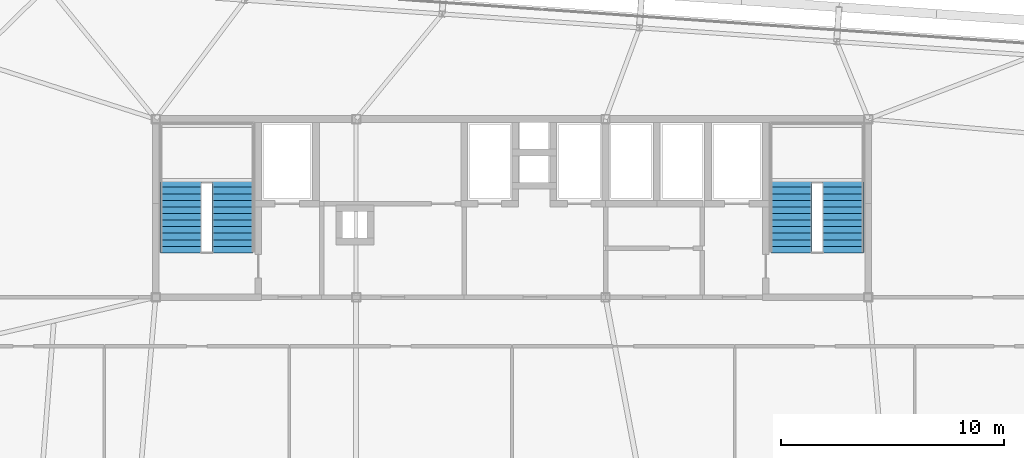
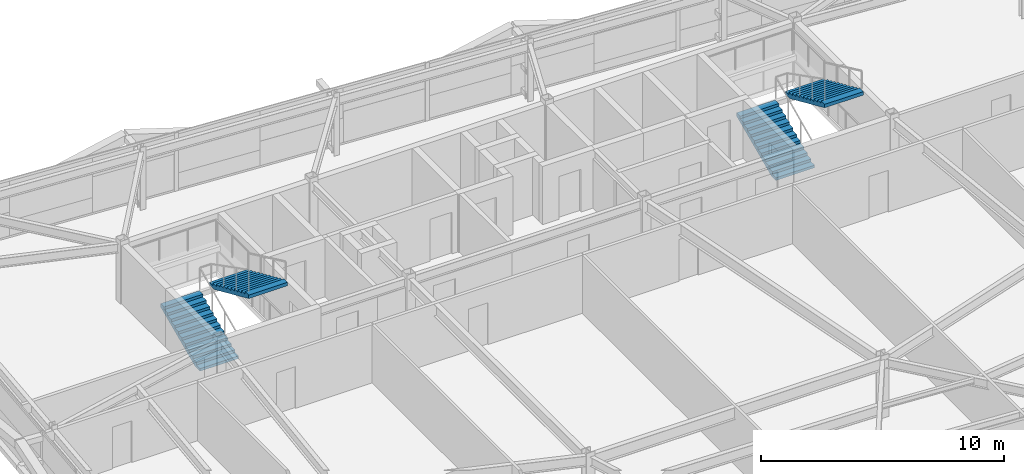
# One storey, part 37 of 39: 4 stair flights, 2 elements without a shape of their own.
"""IFC4 building model written with IfcOpenShell, lengths in metres."""

from ifc_helpers import new_model, si_unit, direction, frame, origin, place, context, subcontext, project, spatial, polyline, outline, extrude, material, type_object, element, aggregate, save


model = new_model("IFC4")

# Units and contexts
model_context = context("Model", 3, precision=1e-05, world=origin(), true_north=direction((0.0, 1.0)))
body_context = subcontext(model_context, "Body", "Model", "MODEL_VIEW")
ifc_project = project(units=[si_unit("LENGTHUNIT", "METRE"), si_unit("AREAUNIT", "SQUARE_METRE"), si_unit("VOLUMEUNIT", "CUBIC_METRE"), si_unit("PLANEANGLEUNIT", "RADIAN"), si_unit("MASSUNIT", "GRAM", prefix="KILO")], contexts=[model_context])

# Site, building, storey
site_placement = place(None, origin())
site = spatial("IfcSite", under=ifc_project, at=site_placement, CompositionType="ELEMENT")
building_placement = place(site_placement, origin())
building = spatial("IfcBuilding", under=site, at=building_placement, Name="Taldren Reach Tower", CompositionType="ELEMENT")
storey_placement = place(building_placement, frame((0.0, 0.0, 145.60009765625)))
storey = spatial("IfcBuildingStorey", under=building, at=storey_placement, Name="L44", CompositionType="ELEMENT", Elevation=145.60009765625)

# Stair, stair flights
ifc_material = material(Name="Concrete S50 (50 MPa)", Category="concrete")
stair_type = type_object("IfcStairType", Name="ST-HT-315", PredefinedType="HALF_TURN_STAIR", material=ifc_material)
stair_1_placement = place(storey_placement, origin())
stair_1 = element("IfcStair", 1, at=stair_1_placement, inside=storey, type_object=stair_type, Name="Fire-isolated exit stair ST1 L44", PredefinedType="HALF_TURN_STAIR")
stair_flight_type = type_object("IfcStairFlightType", Name="SF-STR-315", PredefinedType="STRAIGHT", material=ifc_material)
stair_flight_1_placement = place(storey_placement, frame((20.139892578125, 25.989990234375, 0.0), z_axis=(0.0, 0.0, 1.0), x_axis=(0.0, 1.0, 0.0)))
stair_flight_1 = element("IfcStairFlight", 2, at=stair_flight_1_placement, type_object=stair_flight_type, Name="ST1 flight 1", NumberOfRisers=12, NumberOfTreads=11, PredefinedType="STRAIGHT", RiserHeight=0.13125, TreadLength=0.295, context=body_context, shape_type="SweptSolid", body=[
    extrude(outline(polyline([(0.0, 0.0), (0.0, 0.13134765625), (0.294921875, 0.13134765625), (0.294921875, 0.262451171875), (0.590087890625, 0.262451171875), (0.590087890625, 0.393798828125), (0.885009765625, 0.393798828125), (0.885009765625, 0.52490234375), (1.179931640625, 0.52490234375), (1.179931640625, 0.65625), (1.47509765625, 0.65625), (1.47509765625, 0.78759765625), (1.77001953125, 0.78759765625), (1.77001953125, 0.918701171875), (2.06494140625, 0.918701171875), (2.06494140625, 1.050048828125), (2.360107421875, 1.050048828125), (2.360107421875, 1.18115234375), (2.655029296875, 1.18115234375), (2.655029296875, 1.3125), (2.949951171875, 1.3125), (2.949951171875, 1.44384765625), (3.2451171875, 1.44384765625), (3.2451171875, 1.574951171875), (3.2451171875, 1.268798828125), (0.393310546875, 0.0), (0.0, 0.0)])), frame((0.0, 0.919921875, 0.0), z_axis=(0.0, -1.0, 0.0), x_axis=(1.0, 0.0, 0.0)), (0.0, 0.0, 1.0), 1.840087890625),
])
stair_flight_2_placement = place(storey_placement, frame((22.4599609375, 29.235107421875, 1.574951171875), z_axis=(0.0, 0.0, 1.0), x_axis=(0.0, -1.0, 0.0)))
stair_flight_2 = element("IfcStairFlight", 3, at=stair_flight_2_placement, type_object=stair_flight_type, Name="ST1 flight 2", NumberOfRisers=12, NumberOfTreads=11, PredefinedType="STRAIGHT", RiserHeight=0.13125, TreadLength=0.295, context=body_context, shape_type="SweptSolid", body=[
    extrude(outline(polyline([(0.0, 0.0), (0.0, 0.13134765625), (0.294921875, 0.13134765625), (0.294921875, 0.262451171875), (0.590087890625, 0.262451171875), (0.590087890625, 0.393798828125), (0.885009765625, 0.393798828125), (0.885009765625, 0.52490234375), (1.179931640625, 0.52490234375), (1.179931640625, 0.65625), (1.47509765625, 0.65625), (1.47509765625, 0.78759765625), (1.77001953125, 0.78759765625), (1.77001953125, 0.918701171875), (2.06494140625, 0.918701171875), (2.06494140625, 1.050048828125), (2.360107421875, 1.050048828125), (2.360107421875, 1.18115234375), (2.655029296875, 1.18115234375), (2.655029296875, 1.3125), (2.949951171875, 1.3125), (2.949951171875, 1.44384765625), (3.2451171875, 1.44384765625), (3.2451171875, 1.574951171875), (3.2451171875, 1.268798828125), (0.393310546875, 0.0), (0.0, 0.0)])), frame((0.0, 0.919921875, 0.0), z_axis=(0.0, -1.0, 0.0), x_axis=(1.0, 0.0, 0.0)), (0.0, 0.0, 1.0), 1.840087890625),
])
aggregate(stair_1, [stair_flight_1, stair_flight_2])

stair_2_placement = place(storey_placement, origin())
stair_2 = element("IfcStair", 4, at=stair_2_placement, inside=storey, type_object=stair_type, Name="Fire-isolated exit stair ST2 L44", PredefinedType="HALF_TURN_STAIR")
stair_flight_3_placement = place(storey_placement, frame((47.5400390625, 25.989990234375, 0.0), z_axis=(0.0, 0.0, 1.0), x_axis=(0.0, 1.0, 0.0)))
stair_flight_3 = element("IfcStairFlight", 5, at=stair_flight_3_placement, type_object=stair_flight_type, Name="ST2 flight 1", NumberOfRisers=12, NumberOfTreads=11, PredefinedType="STRAIGHT", RiserHeight=0.13125, TreadLength=0.295, context=body_context, shape_type="SweptSolid", body=[
    extrude(outline(polyline([(0.0, 0.0), (0.0, 0.13134765625), (0.294921875, 0.13134765625), (0.294921875, 0.262451171875), (0.590087890625, 0.262451171875), (0.590087890625, 0.393798828125), (0.885009765625, 0.393798828125), (0.885009765625, 0.52490234375), (1.179931640625, 0.52490234375), (1.179931640625, 0.65625), (1.47509765625, 0.65625), (1.47509765625, 0.78759765625), (1.77001953125, 0.78759765625), (1.77001953125, 0.918701171875), (2.06494140625, 0.918701171875), (2.06494140625, 1.050048828125), (2.360107421875, 1.050048828125), (2.360107421875, 1.18115234375), (2.655029296875, 1.18115234375), (2.655029296875, 1.3125), (2.949951171875, 1.3125), (2.949951171875, 1.44384765625), (3.2451171875, 1.44384765625), (3.2451171875, 1.574951171875), (3.2451171875, 1.268798828125), (0.393310546875, 0.0), (0.0, 0.0)])), frame((0.0, 0.919921875, 0.0), z_axis=(0.0, -1.0, 0.0), x_axis=(1.0, 0.0, 0.0)), (0.0, 0.0, 1.0), 1.840087890625),
])
stair_flight_4_placement = place(storey_placement, frame((49.860107421875, 29.235107421875, 1.574951171875), z_axis=(0.0, 0.0, 1.0), x_axis=(0.0, -1.0, 0.0)))
stair_flight_4 = element("IfcStairFlight", 6, at=stair_flight_4_placement, type_object=stair_flight_type, Name="ST2 flight 2", NumberOfRisers=12, NumberOfTreads=11, PredefinedType="STRAIGHT", RiserHeight=0.13125, TreadLength=0.295, context=body_context, shape_type="SweptSolid", body=[
    extrude(outline(polyline([(0.0, 0.0), (0.0, 0.13134765625), (0.294921875, 0.13134765625), (0.294921875, 0.262451171875), (0.590087890625, 0.262451171875), (0.590087890625, 0.393798828125), (0.885009765625, 0.393798828125), (0.885009765625, 0.52490234375), (1.179931640625, 0.52490234375), (1.179931640625, 0.65625), (1.47509765625, 0.65625), (1.47509765625, 0.78759765625), (1.77001953125, 0.78759765625), (1.77001953125, 0.918701171875), (2.06494140625, 0.918701171875), (2.06494140625, 1.050048828125), (2.360107421875, 1.050048828125), (2.360107421875, 1.18115234375), (2.655029296875, 1.18115234375), (2.655029296875, 1.3125), (2.949951171875, 1.3125), (2.949951171875, 1.44384765625), (3.2451171875, 1.44384765625), (3.2451171875, 1.574951171875), (3.2451171875, 1.268798828125), (0.393310546875, 0.0), (0.0, 0.0)])), frame((0.0, 0.919921875, 0.0), z_axis=(0.0, -1.0, 0.0), x_axis=(1.0, 0.0, 0.0)), (0.0, 0.0, 1.0), 1.840087890625),
])
aggregate(stair_2, [stair_flight_3, stair_flight_4])

save(model, "model.ifc")
